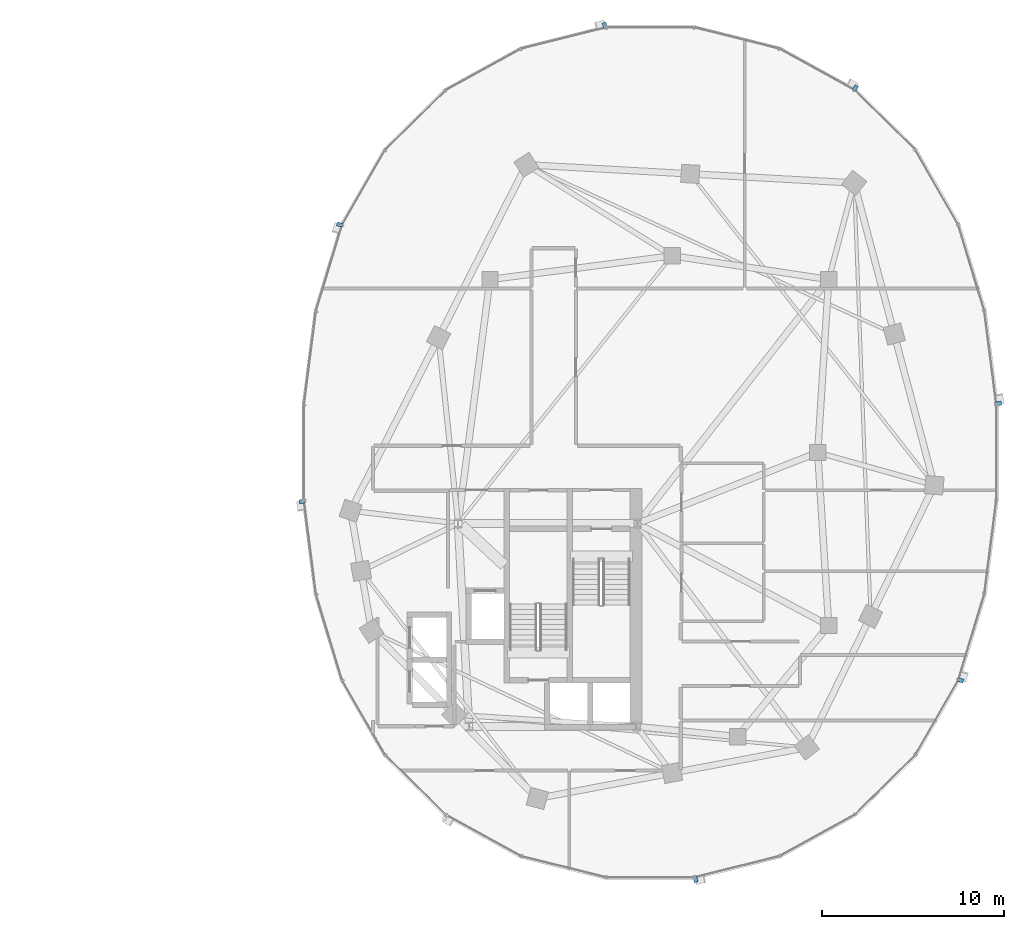
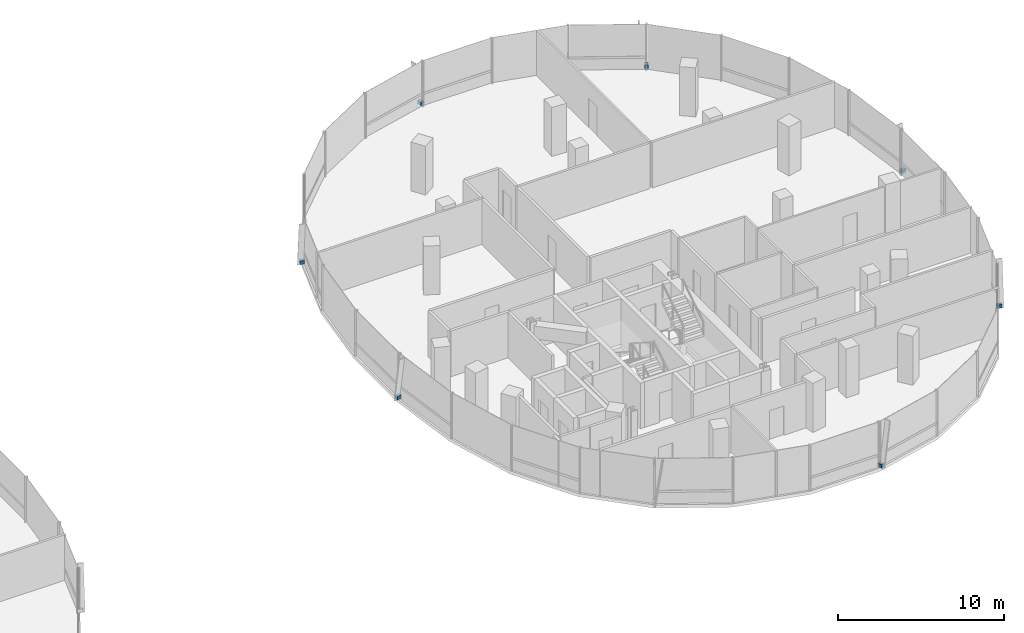
# One storey, part 17 of 22: 7 discrete accessories.
"""IFC4 building model written with IfcOpenShell, lengths in metres."""

from ifc_helpers import new_model, si_unit, direction, frame, origin, origin_2d, place, context, subcontext, project, spatial, rectangle, extrude, material, type_object, element, save


model = new_model("IFC4")

# Units and contexts
model_context = context("Model", 3, precision=1e-05, world=origin(), true_north=direction((0.0, 1.0)))
body_context = subcontext(model_context, "Body", "Model", "MODEL_VIEW")
ifc_project = project(units=[si_unit("LENGTHUNIT", "METRE"), si_unit("AREAUNIT", "SQUARE_METRE"), si_unit("VOLUMEUNIT", "CUBIC_METRE"), si_unit("PLANEANGLEUNIT", "RADIAN"), si_unit("MASSUNIT", "GRAM", prefix="KILO"), si_unit("THERMODYNAMICTEMPERATUREUNIT", "KELVIN"), si_unit("POWERUNIT", "WATT")], contexts=[model_context])

# Site, building, storey
site_placement = place(None, origin())
site = spatial("IfcSite", under=ifc_project, at=site_placement, CompositionType="ELEMENT")
building_placement = place(site_placement, origin())
building = spatial("IfcBuilding", under=site, at=building_placement, Name="Cundina Bronze Exchange", CompositionType="ELEMENT")
storey_placement = place(building_placement, frame((0.0, 0.0, 154.800048828125)))
storey = spatial("IfcBuildingStorey", under=building, at=storey_placement, Name="L40", CompositionType="ELEMENT", Elevation=154.800048828125)

# Discrete accessories
ifc_material = material(Name="Anodised Bronze Aluminium 6063-T6", Category="aluminium")
discrete_accessory_type = type_object("IfcDiscreteAccessoryType", Name="ACC-BRK-FIN", PredefinedType="BRACKET", material=ifc_material)
for number, where, z_axis, x_axis, name in (
    (1, (51.125732421875, 2.69189453125, 0.10009765625), (0.0, 0.0, 1.0), (-0.126475984253, 0.9919696696, 0.0), "L40 Fin Support Bracket 1"),
    (2, (43.266845703125, 20.015380859375, 0.10009765625), (0.0, 0.0, 1.0), (-0.875869093438, 0.482548786301, 0.0), "L40 Fin Support Bracket 5"),
    (3, (29.507080078125, 23.44970703125, 0.10009765625), (0.0, 0.0, 1.0), (-0.970092713791, -0.242734683656, 0.0), "L40 Fin Support Bracket 1"),
    (4, (14.9541015625, 12.511962890625, 0.10009765625), (0.0, 0.0, 1.0), (-0.290050843957, -0.957011237092, 0.0), "L40 Fin Support Bracket 5"),
    (5, (12.874267578125, -2.69189453125, 0.10009765625), (0.0, 0.0, 1.0), (0.126475984253, -0.9919696696, 0.0), "L40 Fin Support Bracket 1"),
    (6, (34.492919921875, -23.44970703125, 0.10009765625), (0.0, 0.0, 1.0), (0.970092713791, 0.242734683656, 0.0), "L40 Fin Support Bracket 1"),
    (7, (49.0458984375, -12.511962890625, 0.10009765625), (0.0, 0.0, 1.0), (0.290050843957, 0.957011237092, 0.0), "L40 Fin Support Bracket 5"),
):
    element("IfcDiscreteAccessory", number, at=place(storey_placement, frame(where, z_axis=z_axis, x_axis=x_axis)), inside=storey, type_object=discrete_accessory_type, Name=name, PredefinedType="BRACKET", context=body_context, shape_type="SweptSolid", body=[
        extrude(rectangle(XDim=0.219970703125, YDim=0.320068359375, at=origin_2d()), origin(), (0.0, 0.0, 1.0), 0.239990234375),
    ])

save(model, "model.ifc")
